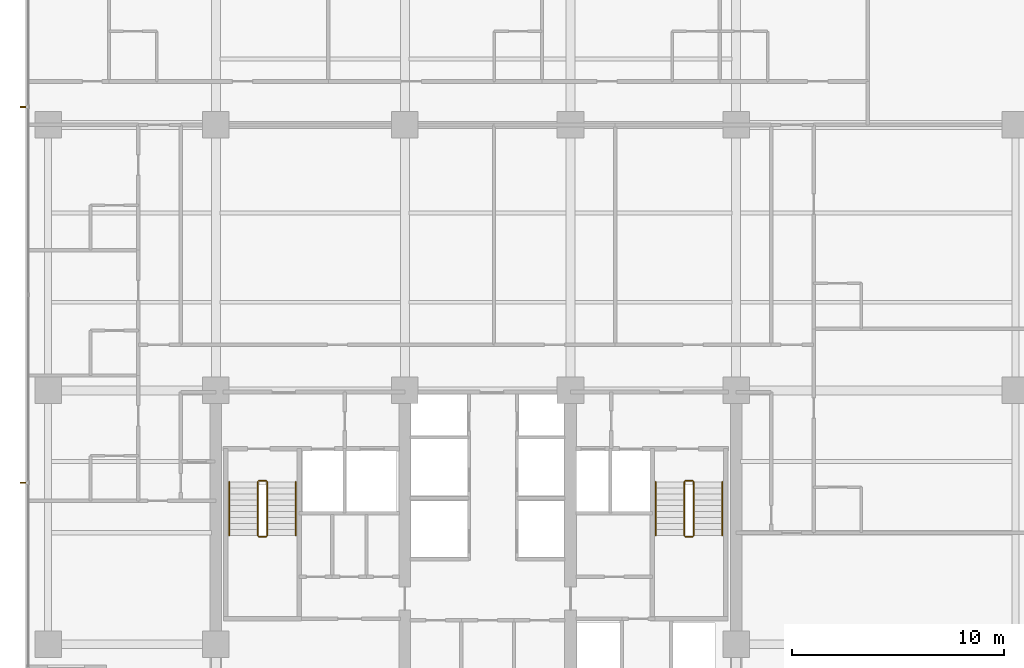
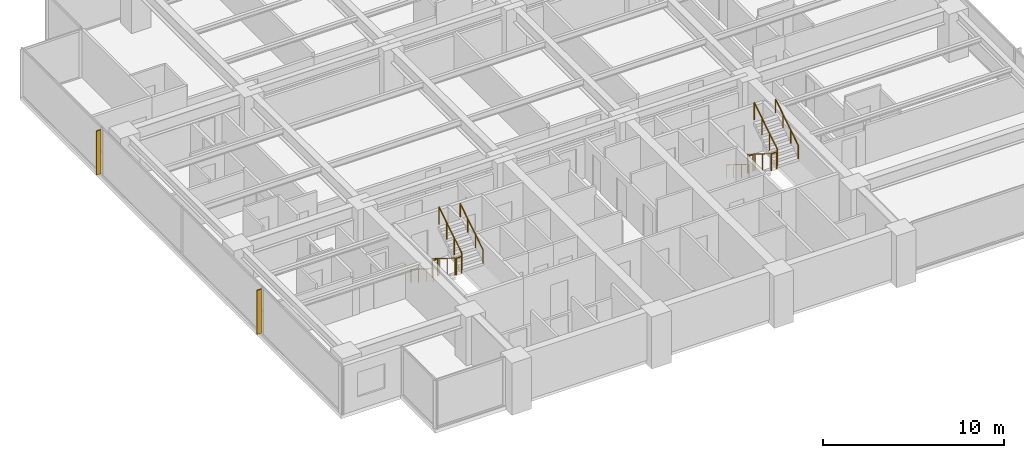
# One storey, part 16 of 18: 12 railings, 2 shading devices.
"""IFC4 building model written with IfcOpenShell, lengths in metres."""

import ifcopenshell
import ifcopenshell.guid

model = None  # the IFC model being written
_history = None  # IfcOwnerHistory: only IFC2X3 demands one
_inside = {}  # id of a spatial element -> (the spatial element, [elements in it])
_under = {}  # id of a project, library or spatial element -> (it, [spatial elements below it])
_declared = {}  # id of a project -> (the project, [libraries it declares])
_typed = {}  # id of a type object -> (the type object, [elements of that type])
_made_of = {}  # id of a material, layer set ... -> (it, [elements and type objects made of it])


def new_model(schema):
    """Start an empty IFC model of exactly this schema.

    Asked for "IFC4X3", IfcOpenShell would pick the latest addendum, in which some entities
    have other attributes; the version numbers below select the first issue.
    IFC2X3 requires an IfcOwnerHistory on every rooted entity: one is made here for all.
    """
    global model, _history
    if schema == "IFC4X3":
        model = ifcopenshell.file(schema_version=(4, 3, 0, 0))
    else:
        model = ifcopenshell.file(schema=schema)
    _inside.clear()
    _under.clear()
    _declared.clear()
    _typed.clear()
    _made_of.clear()
    _history = None
    if model.schema == "IFC2X3":
        org = make("IfcOrganization", Name="unknown")
        user = make(
            "IfcPersonAndOrganization",
            ThePerson=make("IfcPerson", FamilyName="unknown"),
            TheOrganization=org,
        )
        app = make(
            "IfcApplication",
            ApplicationDeveloper=org,
            Version="unknown",
            ApplicationFullName="unknown",
            ApplicationIdentifier="unknown",
        )
        _history = make(
            "IfcOwnerHistory",
            OwningUser=user,
            OwningApplication=app,
            ChangeAction="ADDED",
            CreationDate=0,
        )
    return model


def make(cls, **values):
    """One entity of the class cls with the attributes given. An attribute that is None is left unset."""
    return model.create_entity(
        cls, **{name: value for name, value in values.items() if value is not None}
    )


def rooted(cls, **values):
    """An entity with a GlobalId (a new one), such as an element, a storey or a relation."""
    return make(cls, GlobalId=ifcopenshell.guid.new(), OwnerHistory=_history, **values)


def si_unit(unit_type, name, prefix=None):
    """IfcSIUnit, for example si_unit("LENGTHUNIT", "METRE", prefix="MILLI")."""
    return make("IfcSIUnit", UnitType=unit_type, Prefix=prefix, Name=name)


def assignment(units):
    """IfcUnitAssignment: the units of a project."""
    return None if units is None else make("IfcUnitAssignment", Units=units)


def point(xyz):
    """IfcCartesianPoint."""
    return None if xyz is None else make("IfcCartesianPoint", Coordinates=xyz)


def direction(xyz):
    """IfcDirection."""
    return None if xyz is None else make("IfcDirection", DirectionRatios=xyz)


def frame(location, z_axis=None, x_axis=None):
    """IfcAxis2Placement3D, a coordinate frame: its origin and axes. An axis left out is left unset."""
    return make(
        "IfcAxis2Placement3D",
        Location=point(location),
        Axis=direction(z_axis),
        RefDirection=direction(x_axis),
    )


def frame_2d(location, x_axis=None):
    """IfcAxis2Placement2D, a coordinate frame in the plane: its origin and x axis."""
    return make(
        "IfcAxis2Placement2D", Location=point(location), RefDirection=direction(x_axis)
    )


def origin():
    """The frame at (0, 0, 0) with its axes left unset."""
    return frame((0.0, 0.0, 0.0))


def origin_2d():
    """The frame at (0, 0) in the plane with its x axis left unset."""
    return frame_2d((0.0, 0.0))


def place(relative_to, where):
    """IfcLocalPlacement: puts the frame where relative to a parent placement (None: the world)."""
    return make(
        "IfcLocalPlacement", PlacementRelTo=relative_to, RelativePlacement=where
    )


def context(
    kind, dimensions, precision=None, world=None, true_north=None, identifier=None
):
    """IfcGeometricRepresentationContext, for example the 3D "Model" context."""
    return make(
        "IfcGeometricRepresentationContext",
        ContextIdentifier=identifier,
        ContextType=kind,
        CoordinateSpaceDimension=dimensions,
        Precision=precision,
        WorldCoordinateSystem=world,
        TrueNorth=true_north,
    )


def subcontext(parent, identifier, kind, view, scale=None):
    """IfcGeometricRepresentationSubContext, for example "Body" below "Model"."""
    return make(
        "IfcGeometricRepresentationSubContext",
        ContextIdentifier=identifier,
        ContextType=kind,
        ParentContext=parent,
        TargetScale=scale,
        TargetView=view,
    )


def project(units=None, contexts=None):
    """IfcProject with its units and contexts."""
    return rooted(
        "IfcProject",
        Name="project",
        RepresentationContexts=contexts,
        UnitsInContext=assignment(units),
    )


def spatial(cls, under=None, at=None, **own):
    """A site, building, storey or space (cls), placed at a placement, below another one or the project."""
    s = rooted(cls, ObjectPlacement=at, **own)
    if under is not None:
        _under.setdefault(under.id(), (under, []))[1].append(s)
    return s


def polyline(points):
    """IfcPolyline through the points."""
    return make("IfcPolyline", Points=[point(p) for p in points])


def profile(cls, at=None, kind="AREA", **sizes):
    """A parametric profile (cls). Its sizes go by their IFC names, for example OverallWidth=200.0."""
    return make(cls, ProfileType=kind, Position=at, **sizes)


def circle(**sizes):
    """IfcCircleProfileDef."""
    return profile("IfcCircleProfileDef", **sizes)


def outline(outer, holes=None, kind="AREA"):
    """IfcArbitraryClosedProfileDef: a profile drawn as a closed curve; with holes, ...WithVoids."""
    if holes is None:
        return make("IfcArbitraryClosedProfileDef", ProfileType=kind, OuterCurve=outer)
    return make(
        "IfcArbitraryProfileDefWithVoids",
        ProfileType=kind,
        OuterCurve=outer,
        InnerCurves=holes,
    )


def extrude(swept, where, along, depth):
    """IfcExtrudedAreaSolid: the profile swept, set in the frame where, extruded along a direction by depth."""
    return make(
        "IfcExtrudedAreaSolid",
        SweptArea=swept,
        Position=where,
        ExtrudedDirection=direction(along),
        Depth=depth,
    )


def shape(context_of_items, identifier, shape_type, items):
    """IfcShapeRepresentation: the items that make up one representation, for example the "Body"."""
    return make(
        "IfcShapeRepresentation",
        ContextOfItems=context_of_items,
        RepresentationIdentifier=identifier,
        RepresentationType=shape_type,
        Items=items,
    )


def material(Name=None, Category=None):
    """IfcMaterial."""
    return make("IfcMaterial", Name=Name, Category=Category)


def layer(
    of_material, thickness, ventilated=None, Name=None, Category=None, Priority=None
):
    """IfcMaterialLayer: one layer of a wall or slab, of a material (None: an air gap)."""
    return make(
        "IfcMaterialLayer",
        Material=of_material,
        LayerThickness=thickness,
        IsVentilated=ventilated,
        Name=Name,
        Category=Category,
        Priority=Priority,
    )


def layer_set(layers, Name=None):
    """IfcMaterialLayerSet."""
    return make("IfcMaterialLayerSet", MaterialLayers=layers, LayerSetName=Name)


def made_of(thing, what):
    """Note that an element or type object is made of a material, layer set ...; save() writes the relation."""
    if what is not None:
        _made_of.setdefault(what.id(), (what, []))[1].append(thing)
    return thing


def type_object(cls, material=None, **own):
    """A type object (cls), such as IfcWallType, which elements share."""
    return made_of(rooted(cls, **own), material)


def element(
    cls,
    number,
    at=None,
    inside=None,
    cuts=None,
    type_object=None,
    material=None,
    context=None,
    identifier="Body",
    shape_type=None,
    held_by="IfcProductDefinitionShape",
    body=None,
    shapes=None,
    **own,
):
    """One element of the class cls, such as IfcWall. Its Tag is "e" and its number.

    at: its placement. inside: the storey or other place that contains it. cuts: it is an
    opening in that element (IfcRelVoidsElement). A single representation is given by context,
    identifier, shape_type and body (its items); several are given by shapes. held_by: the class
    of the entity that holds the representations. save() writes the other relations.
    """
    e = rooted(cls, Tag="e%d" % number, ObjectPlacement=at, **own)
    if body is not None:
        shapes = [shape(context, identifier, shape_type, body)]
    if shapes is not None:
        e.Representation = make(held_by, Representations=shapes)
    if inside is not None:
        _inside.setdefault(inside.id(), (inside, []))[1].append(e)
    if cuts is not None:
        rooted(
            "IfcRelVoidsElement", RelatingBuildingElement=cuts, RelatedOpeningElement=e
        )
    if type_object is not None:
        _typed.setdefault(type_object.id(), (type_object, []))[1].append(e)
    return made_of(e, material)


def aggregate(whole, parts):
    """IfcRelAggregates: a whole, such as a stair, and the parts it consists of."""
    return rooted("IfcRelAggregates", RelatingObject=whole, RelatedObjects=parts)


def save(model, path):
    """Write the relations noted so far, then the file.

    IfcRelAggregates (storeys below a building ...), IfcRelContainedInSpatialStructure (elements
    in a storey), IfcRelDefinesByType, IfcRelAssociatesMaterial and IfcRelDeclares: one each for
    every whole, place, type object, material and project.
    """
    for whole, parts in _under.values():
        aggregate(whole, parts)
    for where, things in _inside.values():
        rooted(
            "IfcRelContainedInSpatialStructure",
            RelatedElements=things,
            RelatingStructure=where,
        )
    for kind, things in _typed.values():
        rooted("IfcRelDefinesByType", RelatedObjects=things, RelatingType=kind)
    for what, things in _made_of.values():
        rooted("IfcRelAssociatesMaterial", RelatedObjects=things, RelatingMaterial=what)
    for by, libraries in _declared.values():
        rooted("IfcRelDeclares", RelatingContext=by, RelatedDefinitions=libraries)
    model.write(path)


model = new_model("IFC4")

# Units and contexts
model_context = context("Model", 3, precision=1e-05, world=origin(), true_north=direction((0.0, 1.0)))
body_context = subcontext(model_context, "Body", "Model", "MODEL_VIEW")
ifc_project = project(units=[si_unit("LENGTHUNIT", "METRE"), si_unit("AREAUNIT", "SQUARE_METRE"), si_unit("VOLUMEUNIT", "CUBIC_METRE"), si_unit("PLANEANGLEUNIT", "RADIAN"), si_unit("MASSUNIT", "GRAM", prefix="KILO")], contexts=[model_context])

# Site, building, storey
site_placement = place(None, origin())
site = spatial("IfcSite", under=ifc_project, at=site_placement, CompositionType="ELEMENT")
building_placement = place(site_placement, origin())
building = spatial("IfcBuilding", under=site, at=building_placement, Name="Qalmaran Belvedere Hotel", CompositionType="ELEMENT")
storey_placement = place(building_placement, frame((0.0, 0.0, 95.199951171875)))
storey = spatial("IfcBuildingStorey", under=building, at=storey_placement, Name="L23", CompositionType="ELEMENT", Elevation=95.199951171875)

# Shading devices
ifc_material_1 = material(Name="Anodised Bronze Aluminium", Category="aluminium")
ifc_layer = layer(ifc_material_1, 0.06494140625, Name="Anodised Bronze Aluminium")
ifc_layer_set = layer_set([ifc_layer], Name="Anodised Bronze Aluminium")
shading_device_type = type_object("IfcShadingDeviceType", Name="FIN-BRNZ-300", PredefinedType="USERDEFINED", material=ifc_layer_set)
shading_device_1_placement = place(storey_placement, frame((0.0, 0.0, 0.16015625)))
element("IfcShadingDevice", 1, at=shading_device_1_placement, inside=storey, type_object=shading_device_type, Name="L23 Bronze Fin 1", ObjectType="FIN", PredefinedType="USERDEFINED", context=body_context, shape_type="SweptSolid", body=[
    extrude(outline(polyline([(11.3798828125, 33.882568359375), (11.080078125, 33.882568359375), (11.080078125, 33.8173828125), (11.3798828125, 33.8173828125), (11.3798828125, 33.882568359375)])), origin(), (0.0, 0.0, 1.0), 2.9599609375),
])
shading_device_2_placement = place(storey_placement, frame((0.0, 0.0, 0.16015625)))
element("IfcShadingDevice", 2, at=shading_device_2_placement, inside=storey, type_object=shading_device_type, Name="L23 Bronze Fin 3", ObjectType="FIN", PredefinedType="USERDEFINED", context=body_context, shape_type="SweptSolid", body=[
    extrude(outline(polyline([(11.3798828125, 16.1826171875), (11.080078125, 16.1826171875), (11.080078125, 16.117431640625), (11.3798828125, 16.117431640625), (11.3798828125, 16.1826171875)])), origin(), (0.0, 0.0, 1.0), 2.9599609375),
])

# Railings
ifc_material_2 = material(Name="Stainless Steel 1.4401", Category="steel")
railing_type_1 = type_object("IfcRailingType", Name="RLG-STAIR-GUARD-1150", PredefinedType="GUARDRAIL", material=ifc_material_2)
railing_1_placement = place(storey_placement, frame((22.280029296875, 16.18994140625, 0.175048828125)))
element("IfcRailing", 3, at=railing_1_placement, inside=storey, type_object=railing_type_1, Name="L23 ST-1 stair guard 1", PredefinedType="GUARDRAIL", context=body_context, shape_type="SweptSolid", body=[
    extrude(circle(Radius=0.02392578125, at=origin_2d()), frame((0.0, 0.0, 1.1259765625), z_axis=(0.0, -0.848007534815, 0.529984170421), x_axis=(1.0, 0.0, 0.0)), (0.0, 0.0, 1.0), 2.9716796875),
    extrude(circle(Radius=0.02099609375, at=origin_2d()), origin(), (0.0, 0.0, 1.0), 1.101806640625),
    extrude(circle(Radius=0.02099609375, at=origin_2d()), frame((0.0, -0.840087890625, 0.52490234375)), (0.0, 0.0, 1.0), 1.101806640625),
    extrude(circle(Radius=0.02099609375, at=origin_2d()), frame((0.0, -1.679931640625, 1.050048828125)), (0.0, 0.0, 1.0), 1.101806640625),
    extrude(circle(Radius=0.02099609375, at=origin_2d()), frame((0.0, -2.52001953125, 1.574951171875)), (0.0, 0.0, 1.0), 1.101806640625),
])
railing_2_placement = place(storey_placement, frame((22.330078125, 13.6201171875, 1.75)))
element("IfcRailing", 4, at=railing_2_placement, inside=storey, type_object=railing_type_1, Name="L23 ST-1 stair guard 2", PredefinedType="GUARDRAIL", context=body_context, shape_type="SweptSolid", body=[
    extrude(circle(Radius=0.02392578125, at=origin_2d()), frame((0.0, 0.0, 1.1259765625), z_axis=(1.0, 0.0, 0.0), x_axis=(0.0, 1.0, 0.0)), (0.0, 0.0, 1.0), 0.33984375),
    extrude(circle(Radius=0.02099609375, at=origin_2d()), origin(), (0.0, 0.0, 1.0), 1.101806640625),
    extrude(circle(Radius=0.02099609375, at=origin_2d()), frame((0.33984375, 0.0, 0.0)), (0.0, 0.0, 1.0), 1.101806640625),
])
railing_3_placement = place(storey_placement, frame((22.719970703125, 13.669921875, 1.925048828125)))
element("IfcRailing", 5, at=railing_3_placement, inside=storey, type_object=railing_type_1, Name="L23 ST-1 stair guard 3", PredefinedType="GUARDRAIL", context=body_context, shape_type="SweptSolid", body=[
    extrude(circle(Radius=0.02392578125, at=origin_2d()), frame((0.0, 0.0, 1.1259765625), z_axis=(0.0, 0.848007534815, 0.529984170421), x_axis=(-1.0, 0.0, 0.0)), (0.0, 0.0, 1.0), 2.9716796875),
    extrude(circle(Radius=0.02099609375, at=origin_2d()), origin(), (0.0, 0.0, 1.0), 1.101806640625),
    extrude(circle(Radius=0.02099609375, at=origin_2d()), frame((0.0, 0.840087890625, 0.52490234375)), (0.0, 0.0, 1.0), 1.101806640625),
    extrude(circle(Radius=0.02099609375, at=origin_2d()), frame((0.0, 1.679931640625, 1.050048828125)), (0.0, 0.0, 1.0), 1.101806640625),
    extrude(circle(Radius=0.02099609375, at=origin_2d()), frame((0.0, 2.52001953125, 1.574951171875)), (0.0, 0.0, 1.0), 1.101806640625),
])
railing_4_placement = place(storey_placement, frame((22.330078125, 16.239990234375, 0.0)))
element("IfcRailing", 6, at=railing_4_placement, inside=storey, type_object=railing_type_1, Name="L23 ST-1 stair guard 4", PredefinedType="GUARDRAIL", context=body_context, shape_type="SweptSolid", body=[
    extrude(circle(Radius=0.02392578125, at=origin_2d()), frame((0.0, 0.0, 1.1259765625), z_axis=(1.0, 0.0, 0.0), x_axis=(0.0, 1.0, 0.0)), (0.0, 0.0, 1.0), 0.33984375),
    extrude(circle(Radius=0.02099609375, at=origin_2d()), origin(), (0.0, 0.0, 1.0), 1.101806640625),
    extrude(circle(Radius=0.02099609375, at=origin_2d()), frame((0.33984375, 0.0, 0.0)), (0.0, 0.0, 1.0), 1.101806640625),
])
railing_5_placement = place(storey_placement, frame((42.360107421875, 16.18994140625, 0.175048828125)))
element("IfcRailing", 7, at=railing_5_placement, inside=storey, type_object=railing_type_1, Name="L23 ST-2 stair guard 1", PredefinedType="GUARDRAIL", context=body_context, shape_type="SweptSolid", body=[
    extrude(circle(Radius=0.02392578125, at=origin_2d()), frame((0.0, 0.0, 1.1259765625), z_axis=(0.0, -0.848007534815, 0.529984170421), x_axis=(1.0, 0.0, 0.0)), (0.0, 0.0, 1.0), 2.9716796875),
    extrude(circle(Radius=0.02099609375, at=origin_2d()), origin(), (0.0, 0.0, 1.0), 1.101806640625),
    extrude(circle(Radius=0.02099609375, at=origin_2d()), frame((0.0, -0.840087890625, 0.52490234375)), (0.0, 0.0, 1.0), 1.101806640625),
    extrude(circle(Radius=0.02099609375, at=origin_2d()), frame((0.0, -1.679931640625, 1.050048828125)), (0.0, 0.0, 1.0), 1.101806640625),
    extrude(circle(Radius=0.02099609375, at=origin_2d()), frame((0.0, -2.52001953125, 1.574951171875)), (0.0, 0.0, 1.0), 1.101806640625),
])
railing_6_placement = place(storey_placement, frame((42.409912109375, 13.6201171875, 1.75)))
element("IfcRailing", 8, at=railing_6_placement, inside=storey, type_object=railing_type_1, Name="L23 ST-2 stair guard 2", PredefinedType="GUARDRAIL", context=body_context, shape_type="SweptSolid", body=[
    extrude(circle(Radius=0.02392578125, at=origin_2d()), frame((0.0, 0.0, 1.1259765625), z_axis=(1.0, 0.0, 0.0), x_axis=(0.0, 1.0, 0.0)), (0.0, 0.0, 1.0), 0.340087890625),
    extrude(circle(Radius=0.02099609375, at=origin_2d()), origin(), (0.0, 0.0, 1.0), 1.101806640625),
    extrude(circle(Radius=0.02099609375, at=origin_2d()), frame((0.340087890625, 0.0, 0.0)), (0.0, 0.0, 1.0), 1.101806640625),
])
railing_7_placement = place(storey_placement, frame((42.800048828125, 13.669921875, 1.925048828125)))
element("IfcRailing", 9, at=railing_7_placement, inside=storey, type_object=railing_type_1, Name="L23 ST-2 stair guard 3", PredefinedType="GUARDRAIL", context=body_context, shape_type="SweptSolid", body=[
    extrude(circle(Radius=0.02392578125, at=origin_2d()), frame((0.0, 0.0, 1.1259765625), z_axis=(0.0, 0.848007534815, 0.529984170421), x_axis=(-1.0, 0.0, 0.0)), (0.0, 0.0, 1.0), 2.9716796875),
    extrude(circle(Radius=0.02099609375, at=origin_2d()), origin(), (0.0, 0.0, 1.0), 1.101806640625),
    extrude(circle(Radius=0.02099609375, at=origin_2d()), frame((0.0, 0.840087890625, 0.52490234375)), (0.0, 0.0, 1.0), 1.101806640625),
    extrude(circle(Radius=0.02099609375, at=origin_2d()), frame((0.0, 1.679931640625, 1.050048828125)), (0.0, 0.0, 1.0), 1.101806640625),
    extrude(circle(Radius=0.02099609375, at=origin_2d()), frame((0.0, 2.52001953125, 1.574951171875)), (0.0, 0.0, 1.0), 1.101806640625),
])
railing_8_placement = place(storey_placement, frame((42.409912109375, 16.239990234375, 0.0)))
element("IfcRailing", 10, at=railing_8_placement, inside=storey, type_object=railing_type_1, Name="L23 ST-2 stair guard 4", PredefinedType="GUARDRAIL", context=body_context, shape_type="SweptSolid", body=[
    extrude(circle(Radius=0.02392578125, at=origin_2d()), frame((0.0, 0.0, 1.1259765625), z_axis=(1.0, 0.0, 0.0), x_axis=(0.0, 1.0, 0.0)), (0.0, 0.0, 1.0), 0.340087890625),
    extrude(circle(Radius=0.02099609375, at=origin_2d()), origin(), (0.0, 0.0, 1.0), 1.101806640625),
    extrude(circle(Radius=0.02099609375, at=origin_2d()), frame((0.340087890625, 0.0, 0.0)), (0.0, 0.0, 1.0), 1.101806640625),
])
railing_type_2 = type_object("IfcRailingType", Name="RLG-STAIR-HAND-910", PredefinedType="HANDRAIL", material=ifc_material_2)
railing_9_placement = place(storey_placement, frame((20.929931640625, 16.18994140625, 0.175048828125)))
element("IfcRailing", 11, at=railing_9_placement, inside=storey, type_object=railing_type_2, Name="L23 ST-1 stair handrail 1", PredefinedType="HANDRAIL", context=body_context, shape_type="SweptSolid", body=[
    extrude(circle(Radius=0.02392578125, at=origin_2d()), frame((0.0, 0.0, 0.8857421875), z_axis=(0.0, -0.848007534815, 0.529984170421), x_axis=(1.0, 0.0, 0.0)), (0.0, 0.0, 1.0), 2.9716796875),
    extrude(circle(Radius=0.02099609375, at=origin_2d()), origin(), (0.0, 0.0, 1.0), 0.86181640625),
    extrude(circle(Radius=0.02099609375, at=origin_2d()), frame((0.0, -0.840087890625, 0.52490234375)), (0.0, 0.0, 1.0), 0.86181640625),
    extrude(circle(Radius=0.02099609375, at=origin_2d()), frame((0.0, -1.679931640625, 1.050048828125)), (0.0, 0.0, 1.0), 0.86181640625),
    extrude(circle(Radius=0.02099609375, at=origin_2d()), frame((0.0, -2.52001953125, 1.574951171875)), (0.0, 0.0, 1.0), 0.86181640625),
])
railing_10_placement = place(storey_placement, frame((24.070068359375, 13.669921875, 1.925048828125)))
element("IfcRailing", 12, at=railing_10_placement, inside=storey, type_object=railing_type_2, Name="L23 ST-1 stair handrail 2", PredefinedType="HANDRAIL", context=body_context, shape_type="SweptSolid", body=[
    extrude(circle(Radius=0.02392578125, at=origin_2d()), frame((0.0, 0.0, 0.8857421875), z_axis=(0.0, 0.848007534815, 0.529984170421), x_axis=(-1.0, 0.0, 0.0)), (0.0, 0.0, 1.0), 2.9716796875),
    extrude(circle(Radius=0.02099609375, at=origin_2d()), origin(), (0.0, 0.0, 1.0), 0.86181640625),
    extrude(circle(Radius=0.02099609375, at=origin_2d()), frame((0.0, 0.840087890625, 0.52490234375)), (0.0, 0.0, 1.0), 0.86181640625),
    extrude(circle(Radius=0.02099609375, at=origin_2d()), frame((0.0, 1.679931640625, 1.050048828125)), (0.0, 0.0, 1.0), 0.86181640625),
    extrude(circle(Radius=0.02099609375, at=origin_2d()), frame((0.0, 2.52001953125, 1.574951171875)), (0.0, 0.0, 1.0), 0.86181640625),
])
railing_11_placement = place(storey_placement, frame((41.010009765625, 16.18994140625, 0.175048828125)))
element("IfcRailing", 13, at=railing_11_placement, inside=storey, type_object=railing_type_2, Name="L23 ST-2 stair handrail 1", PredefinedType="HANDRAIL", context=body_context, shape_type="SweptSolid", body=[
    extrude(circle(Radius=0.02392578125, at=origin_2d()), frame((0.0, 0.0, 0.8857421875), z_axis=(0.0, -0.848007534815, 0.529984170421), x_axis=(1.0, 0.0, 0.0)), (0.0, 0.0, 1.0), 2.9716796875),
    extrude(circle(Radius=0.02099609375, at=origin_2d()), origin(), (0.0, 0.0, 1.0), 0.86181640625),
    extrude(circle(Radius=0.02099609375, at=origin_2d()), frame((0.0, -0.840087890625, 0.52490234375)), (0.0, 0.0, 1.0), 0.86181640625),
    extrude(circle(Radius=0.02099609375, at=origin_2d()), frame((0.0, -1.679931640625, 1.050048828125)), (0.0, 0.0, 1.0), 0.86181640625),
    extrude(circle(Radius=0.02099609375, at=origin_2d()), frame((0.0, -2.52001953125, 1.574951171875)), (0.0, 0.0, 1.0), 0.86181640625),
])
railing_12_placement = place(storey_placement, frame((44.14990234375, 13.669921875, 1.925048828125)))
element("IfcRailing", 14, at=railing_12_placement, inside=storey, type_object=railing_type_2, Name="L23 ST-2 stair handrail 2", PredefinedType="HANDRAIL", context=body_context, shape_type="SweptSolid", body=[
    extrude(circle(Radius=0.02392578125, at=origin_2d()), frame((0.0, 0.0, 0.8857421875), z_axis=(0.0, 0.848007534815, 0.529984170421), x_axis=(-1.0, 0.0, 0.0)), (0.0, 0.0, 1.0), 2.9716796875),
    extrude(circle(Radius=0.02099609375, at=origin_2d()), origin(), (0.0, 0.0, 1.0), 0.86181640625),
    extrude(circle(Radius=0.02099609375, at=origin_2d()), frame((0.0, 0.840087890625, 0.52490234375)), (0.0, 0.0, 1.0), 0.86181640625),
    extrude(circle(Radius=0.02099609375, at=origin_2d()), frame((0.0, 1.679931640625, 1.050048828125)), (0.0, 0.0, 1.0), 0.86181640625),
    extrude(circle(Radius=0.02099609375, at=origin_2d()), frame((0.0, 2.52001953125, 1.574951171875)), (0.0, 0.0, 1.0), 0.86181640625),
])

save(model, "model.ifc")
